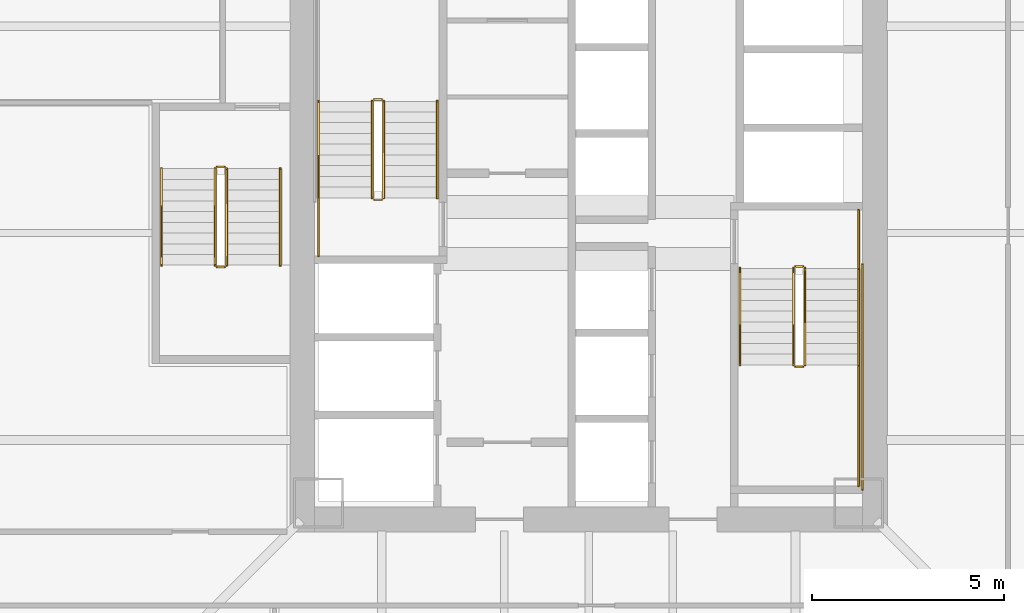
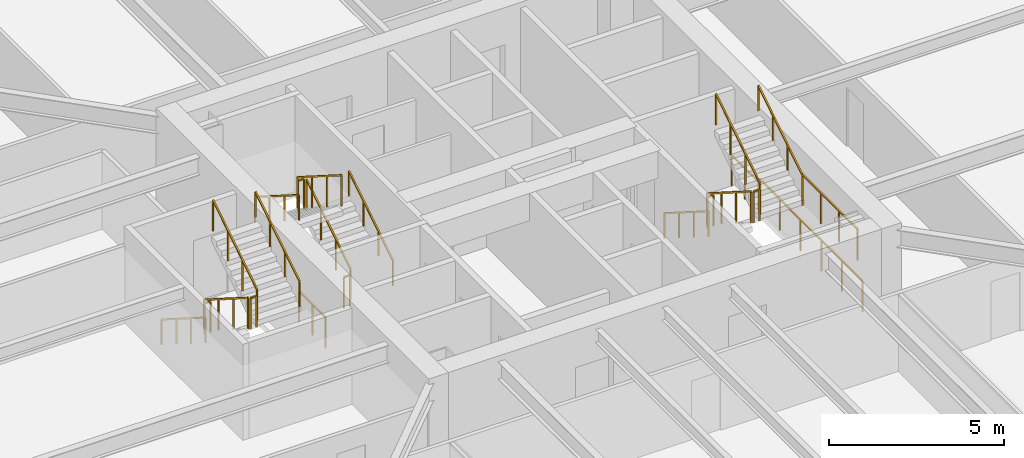
# One storey, part 42 of 48: 22 railings.
"""IFC4 building model written with IfcOpenShell, lengths in metres."""

from ifc_helpers import new_model, si_unit, direction, frame, origin, origin_2d, place, context, subcontext, project, spatial, rectangle, extrude, material, type_object, element, save


model = new_model("IFC4")

# Units and contexts
model_context = context("Model", 3, precision=1e-05, world=origin(), true_north=direction((0.0, 1.0)))
body_context = subcontext(model_context, "Body", "Model", "MODEL_VIEW")
ifc_project = project(units=[si_unit("LENGTHUNIT", "METRE"), si_unit("AREAUNIT", "SQUARE_METRE"), si_unit("VOLUMEUNIT", "CUBIC_METRE"), si_unit("PLANEANGLEUNIT", "RADIAN"), si_unit("MASSUNIT", "GRAM", prefix="KILO")], contexts=[model_context])

# Site, building, storey
site_placement = place(None, origin())
site = spatial("IfcSite", under=ifc_project, at=site_placement, CompositionType="ELEMENT")
building_placement = place(site_placement, origin())
building = spatial("IfcBuilding", under=site, at=building_placement, Name="Tashvorn Skyway Center", CompositionType="ELEMENT")
storey_placement = place(building_placement, frame((0.0, 0.0, 56.550048828125)))
storey = spatial("IfcBuildingStorey", under=building, at=storey_placement, Name="L14", CompositionType="ELEMENT", Elevation=56.550048828125)

# Railings
ifc_material_1 = material(Name="Brushed stainless steel 316", Category="steel")
railing_type_1 = type_object("IfcRailingType", Name="RAIL-HAND-920", PredefinedType="HANDRAIL", material=ifc_material_1)
railing_1_placement = place(storey_placement, frame((38.050048828125, 32.919921875, 0.177490234375)))
element("IfcRailing", 1, at=railing_1_placement, inside=storey, type_object=railing_type_1, Name="L14 ST-T1-1 stair handrail 1", PredefinedType="HANDRAIL", context=body_context, shape_type="SweptSolid", body=[
    extrude(rectangle(XDim=0.048095703125, YDim=0.048095703125, at=origin_2d()), frame((0.0, 0.0, 0.8759765625), z_axis=(0.0, 0.84460694969, 0.535386869969), x_axis=(-1.0, 0.0, 0.0)), (0.0, 0.0, 1.0), 2.983642578125),
    extrude(rectangle(XDim=0.0419921875, YDim=0.0419921875, at=origin_2d()), origin(), (0.0, 0.0, 1.0), 0.851806640625),
    extrude(rectangle(XDim=0.0419921875, YDim=0.0419921875, at=origin_2d()), frame((0.0, 0.840087890625, 0.532470703125)), (0.0, 0.0, 1.0), 0.851806640625),
    extrude(rectangle(XDim=0.0419921875, YDim=0.0419921875, at=origin_2d()), frame((0.0, 1.679931640625, 1.06494140625)), (0.0, 0.0, 1.0), 0.851806640625),
    extrude(rectangle(XDim=0.0419921875, YDim=0.0419921875, at=origin_2d()), frame((0.0, 2.52001953125, 1.597412109375)), (0.0, 0.0, 1.0), 0.851806640625),
])
railing_2_placement = place(storey_placement, frame((34.949951171875, 35.43994140625, 1.952392578125)))
element("IfcRailing", 2, at=railing_2_placement, inside=storey, type_object=railing_type_1, Name="L14 ST-T1-1 stair handrail 2", PredefinedType="HANDRAIL", context=body_context, shape_type="SweptSolid", body=[
    extrude(rectangle(XDim=0.048095703125, YDim=0.048095703125, at=origin_2d()), frame((0.0, 0.0, 0.8759765625), z_axis=(0.0, -0.84456994832, 0.535445237532), x_axis=(1.0, 0.0, 0.0)), (0.0, 0.0, 1.0), 2.98388671875),
    extrude(rectangle(XDim=0.0419921875, YDim=0.0419921875, at=origin_2d()), origin(), (0.0, 0.0, 1.0), 0.851806640625),
    extrude(rectangle(XDim=0.0419921875, YDim=0.0419921875, at=origin_2d()), frame((0.0, -0.840087890625, 0.532470703125)), (0.0, 0.0, 1.0), 0.851806640625),
    extrude(rectangle(XDim=0.0419921875, YDim=0.0419921875, at=origin_2d()), frame((0.0, -1.679931640625, 1.065185546875)), (0.0, 0.0, 1.0), 0.851806640625),
    extrude(rectangle(XDim=0.0419921875, YDim=0.0419921875, at=origin_2d()), frame((0.0, -2.52001953125, 1.59765625)), (0.0, 0.0, 1.0), 0.851806640625),
])
railing_3_placement = place(storey_placement, frame((45.949951171875, 31.080078125, 0.177490234375)))
element("IfcRailing", 3, at=railing_3_placement, inside=storey, type_object=railing_type_1, Name="L14 ST-T1-2 stair handrail 1", PredefinedType="HANDRAIL", context=body_context, shape_type="SweptSolid", body=[
    extrude(rectangle(XDim=0.048095703125, YDim=0.048095703125, at=origin_2d()), frame((0.0, 0.0, 0.8759765625), z_axis=(0.0, -0.84460694969, 0.535386869969), x_axis=(1.0, 0.0, 0.0)), (0.0, 0.0, 1.0), 2.983642578125),
    extrude(rectangle(XDim=0.0419921875, YDim=0.0419921875, at=origin_2d()), origin(), (0.0, 0.0, 1.0), 0.851806640625),
    extrude(rectangle(XDim=0.0419921875, YDim=0.0419921875, at=origin_2d()), frame((0.0, -0.840087890625, 0.532470703125)), (0.0, 0.0, 1.0), 0.851806640625),
    extrude(rectangle(XDim=0.0419921875, YDim=0.0419921875, at=origin_2d()), frame((0.0, -1.679931640625, 1.06494140625)), (0.0, 0.0, 1.0), 0.851806640625),
    extrude(rectangle(XDim=0.0419921875, YDim=0.0419921875, at=origin_2d()), frame((0.0, -2.52001953125, 1.597412109375)), (0.0, 0.0, 1.0), 0.851806640625),
])
railing_4_placement = place(storey_placement, frame((49.050048828125, 28.56005859375, 1.952392578125)))
element("IfcRailing", 4, at=railing_4_placement, inside=storey, type_object=railing_type_1, Name="L14 ST-T1-2 stair handrail 2", PredefinedType="HANDRAIL", context=body_context, shape_type="SweptSolid", body=[
    extrude(rectangle(XDim=0.048095703125, YDim=0.048095703125, at=origin_2d()), frame((0.0, 0.0, 0.8759765625), z_axis=(0.0, 0.84456994832, 0.535445237532), x_axis=(-1.0, 0.0, 0.0)), (0.0, 0.0, 1.0), 2.98388671875),
    extrude(rectangle(XDim=0.0419921875, YDim=0.0419921875, at=origin_2d()), origin(), (0.0, 0.0, 1.0), 0.851806640625),
    extrude(rectangle(XDim=0.0419921875, YDim=0.0419921875, at=origin_2d()), frame((0.0, 0.840087890625, 0.532470703125)), (0.0, 0.0, 1.0), 0.851806640625),
    extrude(rectangle(XDim=0.0419921875, YDim=0.0419921875, at=origin_2d()), frame((0.0, 1.679931640625, 1.065185546875)), (0.0, 0.0, 1.0), 0.851806640625),
    extrude(rectangle(XDim=0.0419921875, YDim=0.0419921875, at=origin_2d()), frame((0.0, 2.52001953125, 1.59765625)), (0.0, 0.0, 1.0), 0.851806640625),
])
railing_5_placement = place(storey_placement, frame((30.85009765625, 33.679931640625, 0.177490234375)))
element("IfcRailing", 5, at=railing_5_placement, inside=storey, type_object=railing_type_1, Name="L14 ST-T1-3 stair handrail 1", PredefinedType="HANDRAIL", context=body_context, shape_type="SweptSolid", body=[
    extrude(rectangle(XDim=0.048095703125, YDim=0.048095703125, at=origin_2d()), frame((0.0, 0.0, 0.8759765625), z_axis=(0.0, -0.84460694969, 0.535386869969), x_axis=(1.0, 0.0, 0.0)), (0.0, 0.0, 1.0), 2.983642578125),
    extrude(rectangle(XDim=0.0419921875, YDim=0.0419921875, at=origin_2d()), origin(), (0.0, 0.0, 1.0), 0.851806640625),
    extrude(rectangle(XDim=0.0419921875, YDim=0.0419921875, at=origin_2d()), frame((0.0, -0.840087890625, 0.532470703125)), (0.0, 0.0, 1.0), 0.851806640625),
    extrude(rectangle(XDim=0.0419921875, YDim=0.0419921875, at=origin_2d()), frame((0.0, -1.679931640625, 1.06494140625)), (0.0, 0.0, 1.0), 0.851806640625),
    extrude(rectangle(XDim=0.0419921875, YDim=0.0419921875, at=origin_2d()), frame((0.0, -2.52001953125, 1.597412109375)), (0.0, 0.0, 1.0), 0.851806640625),
])
railing_6_placement = place(storey_placement, frame((33.949951171875, 31.159912109375, 1.952392578125)))
element("IfcRailing", 6, at=railing_6_placement, inside=storey, type_object=railing_type_1, Name="L14 ST-T1-3 stair handrail 2", PredefinedType="HANDRAIL", context=body_context, shape_type="SweptSolid", body=[
    extrude(rectangle(XDim=0.048095703125, YDim=0.048095703125, at=origin_2d()), frame((0.0, 0.0, 0.8759765625), z_axis=(0.0, 0.84456994832, 0.535445237532), x_axis=(-1.0, 0.0, 0.0)), (0.0, 0.0, 1.0), 2.98388671875),
    extrude(rectangle(XDim=0.0419921875, YDim=0.0419921875, at=origin_2d()), origin(), (0.0, 0.0, 1.0), 0.851806640625),
    extrude(rectangle(XDim=0.0419921875, YDim=0.0419921875, at=origin_2d()), frame((0.0, 0.840087890625, 0.532470703125)), (0.0, 0.0, 1.0), 0.851806640625),
    extrude(rectangle(XDim=0.0419921875, YDim=0.0419921875, at=origin_2d()), frame((0.0, 1.679931640625, 1.065185546875)), (0.0, 0.0, 1.0), 0.851806640625),
    extrude(rectangle(XDim=0.0419921875, YDim=0.0419921875, at=origin_2d()), frame((0.0, 2.52001953125, 1.59765625)), (0.0, 0.0, 1.0), 0.851806640625),
])
ifc_material_2 = material(Name="Painted galvanized steel S355", Category="steel")
railing_type_2 = type_object("IfcRailingType", Name="RAIL-STGUARD-1100", PredefinedType="GUARDRAIL", material=ifc_material_2)
railing_7_placement = place(storey_placement, frame((36.64990234375, 32.919921875, 0.177490234375)))
element("IfcRailing", 7, at=railing_7_placement, inside=storey, type_object=railing_type_2, Name="L14 ST-T1-1 stair guard 1", PredefinedType="GUARDRAIL", context=body_context, shape_type="SweptSolid", body=[
    extrude(rectangle(XDim=0.048095703125, YDim=0.048095703125, at=origin_2d()), frame((0.0, 0.0, 1.076171875), z_axis=(0.0, 0.84460694969, 0.535386869969), x_axis=(-1.0, 0.0, 0.0)), (0.0, 0.0, 1.0), 2.983642578125),
    extrude(rectangle(XDim=0.0419921875, YDim=0.0419921875, at=origin_2d()), origin(), (0.0, 0.0, 1.0), 1.052001953125),
    extrude(rectangle(XDim=0.0419921875, YDim=0.0419921875, at=origin_2d()), frame((0.0, 0.840087890625, 0.532470703125)), (0.0, 0.0, 1.0), 1.052001953125),
    extrude(rectangle(XDim=0.0419921875, YDim=0.0419921875, at=origin_2d()), frame((0.0, 1.679931640625, 1.06494140625)), (0.0, 0.0, 1.0), 1.052001953125),
    extrude(rectangle(XDim=0.0419921875, YDim=0.0419921875, at=origin_2d()), frame((0.0, 2.52001953125, 1.597412109375)), (0.0, 0.0, 1.0), 1.052001953125),
])
railing_8_placement = place(storey_placement, frame((36.60009765625, 35.489990234375, 1.77490234375)))
element("IfcRailing", 8, at=railing_8_placement, inside=storey, type_object=railing_type_2, Name="L14 ST-T1-1 stair guard 2", PredefinedType="GUARDRAIL", context=body_context, shape_type="SweptSolid", body=[
    extrude(rectangle(XDim=0.048095703125, YDim=0.048095703125, at=origin_2d()), frame((0.0, 0.0, 1.076171875), z_axis=(-1.0, 0.0, 0.0), x_axis=(0.0, -1.0, 0.0)), (0.0, 0.0, 1.0), 0.2001953125),
    extrude(rectangle(XDim=0.0419921875, YDim=0.0419921875, at=origin_2d()), origin(), (0.0, 0.0, 1.0), 1.052001953125),
    extrude(rectangle(XDim=0.0419921875, YDim=0.0419921875, at=origin_2d()), frame((-0.2001953125, 0.0, 0.0)), (0.0, 0.0, 1.0), 1.052001953125),
])
railing_9_placement = place(storey_placement, frame((36.35009765625, 35.43994140625, 1.952392578125)))
element("IfcRailing", 9, at=railing_9_placement, inside=storey, type_object=railing_type_2, Name="L14 ST-T1-1 stair guard 4", PredefinedType="GUARDRAIL", context=body_context, shape_type="SweptSolid", body=[
    extrude(rectangle(XDim=0.048095703125, YDim=0.048095703125, at=origin_2d()), frame((0.0, 0.0, 1.076171875), z_axis=(0.0, -0.84456994832, 0.535445237532), x_axis=(1.0, 0.0, 0.0)), (0.0, 0.0, 1.0), 2.98388671875),
    extrude(rectangle(XDim=0.0419921875, YDim=0.0419921875, at=origin_2d()), origin(), (0.0, 0.0, 1.0), 1.052001953125),
    extrude(rectangle(XDim=0.0419921875, YDim=0.0419921875, at=origin_2d()), frame((0.0, -0.840087890625, 0.532470703125)), (0.0, 0.0, 1.0), 1.052001953125),
    extrude(rectangle(XDim=0.0419921875, YDim=0.0419921875, at=origin_2d()), frame((0.0, -1.679931640625, 1.065185546875)), (0.0, 0.0, 1.0), 1.052001953125),
    extrude(rectangle(XDim=0.0419921875, YDim=0.0419921875, at=origin_2d()), frame((0.0, -2.52001953125, 1.59765625)), (0.0, 0.0, 1.0), 1.052001953125),
])
railing_10_placement = place(storey_placement, frame((36.60009765625, 32.8701171875, 0.0)))
element("IfcRailing", 10, at=railing_10_placement, inside=storey, type_object=railing_type_2, Name="L14 ST-T1-1 stair guard 5", PredefinedType="GUARDRAIL", context=body_context, shape_type="SweptSolid", body=[
    extrude(rectangle(XDim=0.048095703125, YDim=0.048095703125, at=origin_2d()), frame((0.0, 0.0, 1.076171875), z_axis=(-1.0, 0.0, 0.0), x_axis=(0.0, -1.0, 0.0)), (0.0, 0.0, 1.0), 0.2001953125),
    extrude(rectangle(XDim=0.0419921875, YDim=0.0419921875, at=origin_2d()), origin(), (0.0, 0.0, 1.0), 1.052001953125),
    extrude(rectangle(XDim=0.0419921875, YDim=0.0419921875, at=origin_2d()), frame((-0.2001953125, 0.0, 0.0)), (0.0, 0.0, 1.0), 1.052001953125),
])
railing_11_placement = place(storey_placement, frame((34.949951171875, 31.39990234375, 0.0)))
element("IfcRailing", 11, at=railing_11_placement, inside=storey, type_object=railing_type_2, Name="L14 ST-T1-1 stair guard 6", PredefinedType="GUARDRAIL", context=body_context, shape_type="SweptSolid", body=[
    extrude(rectangle(XDim=0.048095703125, YDim=0.048095703125, at=origin_2d()), frame((0.0, 0.0, 1.076171875), z_axis=(0.0, 1.0, 0.0), x_axis=(-1.0, 0.0, 0.0)), (0.0, 0.0, 1.0), 1.52001953125),
    extrude(rectangle(XDim=0.0419921875, YDim=0.0419921875, at=origin_2d()), origin(), (0.0, 0.0, 1.0), 1.052001953125),
    extrude(rectangle(XDim=0.0419921875, YDim=0.0419921875, at=origin_2d()), frame((0.0, 0.760009765625, 0.0)), (0.0, 0.0, 1.0), 1.052001953125),
    extrude(rectangle(XDim=0.0419921875, YDim=0.0419921875, at=origin_2d()), frame((0.0, 1.52001953125, 0.0)), (0.0, 0.0, 1.0), 1.052001953125),
])
railing_12_placement = place(storey_placement, frame((47.35009765625, 31.080078125, 0.177490234375)))
element("IfcRailing", 12, at=railing_12_placement, inside=storey, type_object=railing_type_2, Name="L14 ST-T1-2 stair guard 1", PredefinedType="GUARDRAIL", context=body_context, shape_type="SweptSolid", body=[
    extrude(rectangle(XDim=0.048095703125, YDim=0.048095703125, at=origin_2d()), frame((0.0, 0.0, 1.076171875), z_axis=(0.0, -0.84460694969, 0.535386869969), x_axis=(1.0, 0.0, 0.0)), (0.0, 0.0, 1.0), 2.983642578125),
    extrude(rectangle(XDim=0.0419921875, YDim=0.0419921875, at=origin_2d()), origin(), (0.0, 0.0, 1.0), 1.052001953125),
    extrude(rectangle(XDim=0.0419921875, YDim=0.0419921875, at=origin_2d()), frame((0.0, -0.840087890625, 0.532470703125)), (0.0, 0.0, 1.0), 1.052001953125),
    extrude(rectangle(XDim=0.0419921875, YDim=0.0419921875, at=origin_2d()), frame((0.0, -1.679931640625, 1.06494140625)), (0.0, 0.0, 1.0), 1.052001953125),
    extrude(rectangle(XDim=0.0419921875, YDim=0.0419921875, at=origin_2d()), frame((0.0, -2.52001953125, 1.597412109375)), (0.0, 0.0, 1.0), 1.052001953125),
])
railing_13_placement = place(storey_placement, frame((47.39990234375, 28.510009765625, 1.77490234375)))
element("IfcRailing", 13, at=railing_13_placement, inside=storey, type_object=railing_type_2, Name="L14 ST-T1-2 stair guard 2", PredefinedType="GUARDRAIL", context=body_context, shape_type="SweptSolid", body=[
    extrude(rectangle(XDim=0.048095703125, YDim=0.048095703125, at=origin_2d()), frame((0.0, 0.0, 1.076171875), z_axis=(1.0, 0.0, 0.0), x_axis=(0.0, 1.0, 0.0)), (0.0, 0.0, 1.0), 0.2001953125),
    extrude(rectangle(XDim=0.0419921875, YDim=0.0419921875, at=origin_2d()), origin(), (0.0, 0.0, 1.0), 1.052001953125),
    extrude(rectangle(XDim=0.0419921875, YDim=0.0419921875, at=origin_2d()), frame((0.2001953125, 0.0, 0.0)), (0.0, 0.0, 1.0), 1.052001953125),
])
railing_14_placement = place(storey_placement, frame((49.050048828125, 28.56005859375, 1.77490234375)))
element("IfcRailing", 14, at=railing_14_placement, inside=storey, type_object=railing_type_2, Name="L14 ST-T1-2 stair guard 3", PredefinedType="GUARDRAIL", context=body_context, shape_type="SweptSolid", body=[
    extrude(rectangle(XDim=0.048095703125, YDim=0.048095703125, at=origin_2d()), frame((0.0, 0.0, 1.076171875), z_axis=(0.0, -1.0, 0.0), x_axis=(1.0, 0.0, 0.0)), (0.0, 0.0, 1.0), 3.16015625),
    extrude(rectangle(XDim=0.0419921875, YDim=0.0419921875, at=origin_2d()), origin(), (0.0, 0.0, 1.0), 1.052001953125),
    extrude(rectangle(XDim=0.0419921875, YDim=0.0419921875, at=origin_2d()), frame((0.0, -1.053466796875, 0.0)), (0.0, 0.0, 1.0), 1.052001953125),
    extrude(rectangle(XDim=0.0419921875, YDim=0.0419921875, at=origin_2d()), frame((0.0, -2.106689453125, 0.0)), (0.0, 0.0, 1.0), 1.052001953125),
    extrude(rectangle(XDim=0.0419921875, YDim=0.0419921875, at=origin_2d()), frame((0.0, -3.16015625, 0.0)), (0.0, 0.0, 1.0), 1.052001953125),
])
railing_15_placement = place(storey_placement, frame((47.64990234375, 28.56005859375, 1.952392578125)))
element("IfcRailing", 15, at=railing_15_placement, inside=storey, type_object=railing_type_2, Name="L14 ST-T1-2 stair guard 4", PredefinedType="GUARDRAIL", context=body_context, shape_type="SweptSolid", body=[
    extrude(rectangle(XDim=0.048095703125, YDim=0.048095703125, at=origin_2d()), frame((0.0, 0.0, 1.076171875), z_axis=(0.0, 0.84456994832, 0.535445237532), x_axis=(-1.0, 0.0, 0.0)), (0.0, 0.0, 1.0), 2.98388671875),
    extrude(rectangle(XDim=0.0419921875, YDim=0.0419921875, at=origin_2d()), origin(), (0.0, 0.0, 1.0), 1.052001953125),
    extrude(rectangle(XDim=0.0419921875, YDim=0.0419921875, at=origin_2d()), frame((0.0, 0.840087890625, 0.532470703125)), (0.0, 0.0, 1.0), 1.052001953125),
    extrude(rectangle(XDim=0.0419921875, YDim=0.0419921875, at=origin_2d()), frame((0.0, 1.679931640625, 1.065185546875)), (0.0, 0.0, 1.0), 1.052001953125),
    extrude(rectangle(XDim=0.0419921875, YDim=0.0419921875, at=origin_2d()), frame((0.0, 2.52001953125, 1.59765625)), (0.0, 0.0, 1.0), 1.052001953125),
])
railing_16_placement = place(storey_placement, frame((47.39990234375, 31.1298828125, 0.0)))
element("IfcRailing", 16, at=railing_16_placement, inside=storey, type_object=railing_type_2, Name="L14 ST-T1-2 stair guard 5", PredefinedType="GUARDRAIL", context=body_context, shape_type="SweptSolid", body=[
    extrude(rectangle(XDim=0.048095703125, YDim=0.048095703125, at=origin_2d()), frame((0.0, 0.0, 1.076171875), z_axis=(1.0, 0.0, 0.0), x_axis=(0.0, 1.0, 0.0)), (0.0, 0.0, 1.0), 0.2001953125),
    extrude(rectangle(XDim=0.0419921875, YDim=0.0419921875, at=origin_2d()), origin(), (0.0, 0.0, 1.0), 1.052001953125),
    extrude(rectangle(XDim=0.0419921875, YDim=0.0419921875, at=origin_2d()), frame((0.2001953125, 0.0, 0.0)), (0.0, 0.0, 1.0), 1.052001953125),
])
railing_17_placement = place(storey_placement, frame((49.050048828125, 32.60009765625, 0.0)))
element("IfcRailing", 17, at=railing_17_placement, inside=storey, type_object=railing_type_2, Name="L14 ST-T1-2 stair guard 6", PredefinedType="GUARDRAIL", context=body_context, shape_type="SweptSolid", body=[
    extrude(rectangle(XDim=0.048095703125, YDim=0.048095703125, at=origin_2d()), frame((0.0, 0.0, 1.076171875), z_axis=(0.0, -1.0, 0.0), x_axis=(1.0, 0.0, 0.0)), (0.0, 0.0, 1.0), 1.52001953125),
    extrude(rectangle(XDim=0.0419921875, YDim=0.0419921875, at=origin_2d()), origin(), (0.0, 0.0, 1.0), 1.052001953125),
    extrude(rectangle(XDim=0.0419921875, YDim=0.0419921875, at=origin_2d()), frame((0.0, -0.760009765625, 0.0)), (0.0, 0.0, 1.0), 1.052001953125),
    extrude(rectangle(XDim=0.0419921875, YDim=0.0419921875, at=origin_2d()), frame((0.0, -1.52001953125, 0.0)), (0.0, 0.0, 1.0), 1.052001953125),
])
railing_18_placement = place(storey_placement, frame((49.14990234375, 31.179931640625, 0.0)))
element("IfcRailing", 18, at=railing_18_placement, inside=storey, type_object=railing_type_2, Name="L14 ST-T1-2 stair guard 7", PredefinedType="GUARDRAIL", context=body_context, shape_type="SweptSolid", body=[
    extrude(rectangle(XDim=0.048095703125, YDim=0.048095703125, at=origin_2d()), frame((0.0, 0.0, 1.076171875), z_axis=(0.0, -1.0, 0.0), x_axis=(1.0, 0.0, 0.0)), (0.0, 0.0, 1.0), 5.8798828125),
    extrude(rectangle(XDim=0.0419921875, YDim=0.0419921875, at=origin_2d()), origin(), (0.0, 0.0, 1.0), 1.052001953125),
    extrude(rectangle(XDim=0.0419921875, YDim=0.0419921875, at=origin_2d()), frame((0.0, -1.176025390625, 0.0)), (0.0, 0.0, 1.0), 1.052001953125),
    extrude(rectangle(XDim=0.0419921875, YDim=0.0419921875, at=origin_2d()), frame((0.0, -2.35205078125, 0.0)), (0.0, 0.0, 1.0), 1.052001953125),
    extrude(rectangle(XDim=0.0419921875, YDim=0.0419921875, at=origin_2d()), frame((0.0, -3.52783203125, 0.0)), (0.0, 0.0, 1.0), 1.052001953125),
    extrude(rectangle(XDim=0.0419921875, YDim=0.0419921875, at=origin_2d()), frame((0.0, -4.703857421875, 0.0)), (0.0, 0.0, 1.0), 1.052001953125),
    extrude(rectangle(XDim=0.0419921875, YDim=0.0419921875, at=origin_2d()), frame((0.0, -5.8798828125, 0.0)), (0.0, 0.0, 1.0), 1.052001953125),
])
railing_19_placement = place(storey_placement, frame((32.25, 33.679931640625, 0.177490234375)))
element("IfcRailing", 19, at=railing_19_placement, inside=storey, type_object=railing_type_2, Name="L14 ST-T1-3 stair guard 1", PredefinedType="GUARDRAIL", context=body_context, shape_type="SweptSolid", body=[
    extrude(rectangle(XDim=0.048095703125, YDim=0.048095703125, at=origin_2d()), frame((0.0, 0.0, 1.076171875), z_axis=(0.0, -0.84460694969, 0.535386869969), x_axis=(1.0, 0.0, 0.0)), (0.0, 0.0, 1.0), 2.983642578125),
    extrude(rectangle(XDim=0.0419921875, YDim=0.0419921875, at=origin_2d()), origin(), (0.0, 0.0, 1.0), 1.052001953125),
    extrude(rectangle(XDim=0.0419921875, YDim=0.0419921875, at=origin_2d()), frame((0.0, -0.840087890625, 0.532470703125)), (0.0, 0.0, 1.0), 1.052001953125),
    extrude(rectangle(XDim=0.0419921875, YDim=0.0419921875, at=origin_2d()), frame((0.0, -1.679931640625, 1.06494140625)), (0.0, 0.0, 1.0), 1.052001953125),
    extrude(rectangle(XDim=0.0419921875, YDim=0.0419921875, at=origin_2d()), frame((0.0, -2.52001953125, 1.597412109375)), (0.0, 0.0, 1.0), 1.052001953125),
])
railing_20_placement = place(storey_placement, frame((32.300048828125, 31.110107421875, 1.77490234375)))
element("IfcRailing", 20, at=railing_20_placement, inside=storey, type_object=railing_type_2, Name="L14 ST-T1-3 stair guard 2", PredefinedType="GUARDRAIL", context=body_context, shape_type="SweptSolid", body=[
    extrude(rectangle(XDim=0.048095703125, YDim=0.048095703125, at=origin_2d()), frame((0.0, 0.0, 1.076171875), z_axis=(1.0, 0.0, 0.0), x_axis=(0.0, 1.0, 0.0)), (0.0, 0.0, 1.0), 0.199951171875),
    extrude(rectangle(XDim=0.0419921875, YDim=0.0419921875, at=origin_2d()), origin(), (0.0, 0.0, 1.0), 1.052001953125),
    extrude(rectangle(XDim=0.0419921875, YDim=0.0419921875, at=origin_2d()), frame((0.199951171875, 0.0, 0.0)), (0.0, 0.0, 1.0), 1.052001953125),
])
railing_21_placement = place(storey_placement, frame((32.550048828125, 31.159912109375, 1.952392578125)))
element("IfcRailing", 21, at=railing_21_placement, inside=storey, type_object=railing_type_2, Name="L14 ST-T1-3 stair guard 3", PredefinedType="GUARDRAIL", context=body_context, shape_type="SweptSolid", body=[
    extrude(rectangle(XDim=0.048095703125, YDim=0.048095703125, at=origin_2d()), frame((0.0, 0.0, 1.076171875), z_axis=(0.0, 0.84456994832, 0.535445237532), x_axis=(-1.0, 0.0, 0.0)), (0.0, 0.0, 1.0), 2.98388671875),
    extrude(rectangle(XDim=0.0419921875, YDim=0.0419921875, at=origin_2d()), origin(), (0.0, 0.0, 1.0), 1.052001953125),
    extrude(rectangle(XDim=0.0419921875, YDim=0.0419921875, at=origin_2d()), frame((0.0, 0.840087890625, 0.532470703125)), (0.0, 0.0, 1.0), 1.052001953125),
    extrude(rectangle(XDim=0.0419921875, YDim=0.0419921875, at=origin_2d()), frame((0.0, 1.679931640625, 1.065185546875)), (0.0, 0.0, 1.0), 1.052001953125),
    extrude(rectangle(XDim=0.0419921875, YDim=0.0419921875, at=origin_2d()), frame((0.0, 2.52001953125, 1.59765625)), (0.0, 0.0, 1.0), 1.052001953125),
])
railing_22_placement = place(storey_placement, frame((32.300048828125, 33.72998046875, 0.0)))
element("IfcRailing", 22, at=railing_22_placement, inside=storey, type_object=railing_type_2, Name="L14 ST-T1-3 stair guard 4", PredefinedType="GUARDRAIL", context=body_context, shape_type="SweptSolid", body=[
    extrude(rectangle(XDim=0.048095703125, YDim=0.048095703125, at=origin_2d()), frame((0.0, 0.0, 1.076171875), z_axis=(1.0, 0.0, 0.0), x_axis=(0.0, 1.0, 0.0)), (0.0, 0.0, 1.0), 0.199951171875),
    extrude(rectangle(XDim=0.0419921875, YDim=0.0419921875, at=origin_2d()), origin(), (0.0, 0.0, 1.0), 1.052001953125),
    extrude(rectangle(XDim=0.0419921875, YDim=0.0419921875, at=origin_2d()), frame((0.199951171875, 0.0, 0.0)), (0.0, 0.0, 1.0), 1.052001953125),
])

save(model, "model.ifc")
